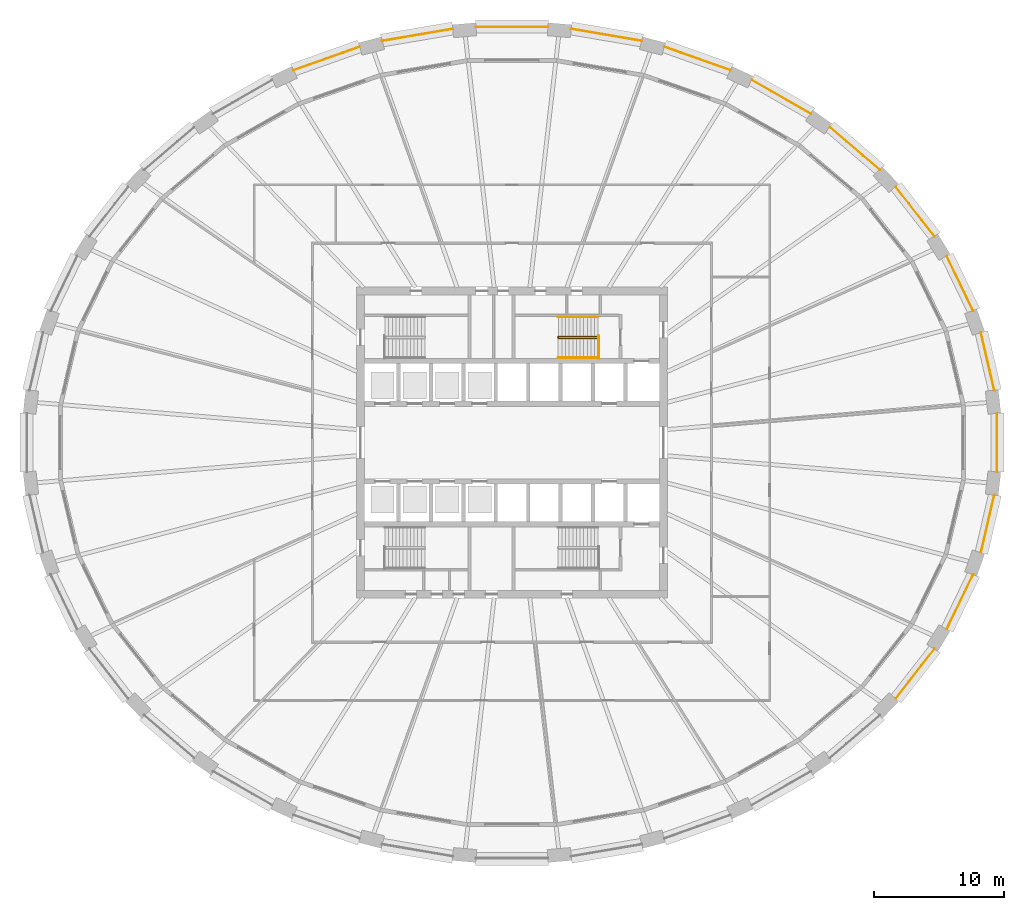
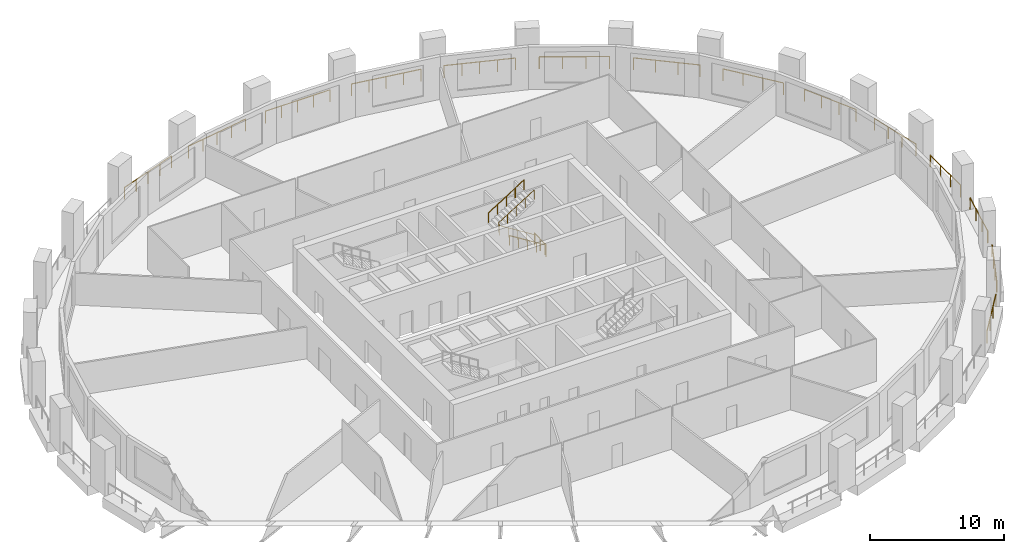
# One storey, part 10 of 11: 18 railings.
"""IFC4 building model written with IfcOpenShell, lengths in metres."""

from ifc_helpers import new_model, si_unit, direction, frame, origin, origin_2d, place, context, subcontext, project, spatial, circle, extrude, material, type_object, element, save


model = new_model("IFC4")

# Units and contexts
model_context = context("Model", 3, precision=1e-05, world=origin(), true_north=direction((0.0, 1.0)))
body_context = subcontext(model_context, "Body", "Model", "MODEL_VIEW")
ifc_project = project(units=[si_unit("LENGTHUNIT", "METRE"), si_unit("AREAUNIT", "SQUARE_METRE"), si_unit("VOLUMEUNIT", "CUBIC_METRE"), si_unit("PLANEANGLEUNIT", "RADIAN"), si_unit("MASSUNIT", "GRAM", prefix="KILO")], contexts=[model_context])

# Site, building, storey
site_placement = place(None, origin())
site = spatial("IfcSite", under=ifc_project, at=site_placement, CompositionType="ELEMENT")
building_placement = place(site_placement, origin())
building = spatial("IfcBuilding", under=site, at=building_placement, Name="Halqa Exchange Tower", CompositionType="ELEMENT")
storey_placement = place(building_placement, frame((0.0, 0.0, 44.5)))
storey = spatial("IfcBuildingStorey", under=building, at=storey_placement, Name="L09", CompositionType="ELEMENT", Elevation=44.5)

# Railings
ifc_material = material(Name="Stainless steel", Category="steel")
railing_type_1 = type_object("IfcRailingType", Name="Guard 1100 stainless steel", PredefinedType="GUARDRAIL", material=ifc_material)
railing_1_placement = place(storey_placement, frame((37.228515625, 4.03662109375, 0.0)))
element("IfcRailing", 1, at=railing_1_placement, inside=storey, type_object=railing_type_1, Name="Loggia guard 1", PredefinedType="GUARDRAIL", context=body_context, shape_type="SweptSolid", body=[
    extrude(circle(Radius=0.02392578125, at=origin_2d()), frame((0.0, 0.0, 1.076171875), z_axis=(-0.226023651238, 0.974121814293, 0.0), x_axis=(-0.974121814293, -0.226023651238, 0.0)), (0.0, 0.0, 1.0), 4.563720703125),
    extrude(circle(Radius=0.02099609375, at=origin_2d()), origin(), (0.0, 0.0, 1.0), 1.052001953125),
    extrude(circle(Radius=0.02099609375, at=origin_2d()), frame((-0.34375, 1.48193359375, 0.0)), (0.0, 0.0, 1.0), 1.052001953125),
    extrude(circle(Radius=0.02099609375, at=origin_2d()), frame((-0.687744140625, 2.963623046875, 0.0)), (0.0, 0.0, 1.0), 1.052001953125),
    extrude(circle(Radius=0.02099609375, at=origin_2d()), frame((-1.031494140625, 4.445556640625, 0.0)), (0.0, 0.0, 1.0), 1.052001953125),
])
railing_2_placement = place(storey_placement, frame((35.601806640625, 10.169189453125, 0.0)))
element("IfcRailing", 2, at=railing_2_placement, inside=storey, type_object=railing_type_1, Name="Loggia guard 2", PredefinedType="GUARDRAIL", context=body_context, shape_type="SweptSolid", body=[
    extrude(circle(Radius=0.02392578125, at=origin_2d()), frame((0.0, 0.0, 1.076171875), z_axis=(-0.435082763591, 0.900390464646, 0.0), x_axis=(-0.900390464646, -0.435082763591, 0.0)), (0.0, 0.0, 1.0), 4.684814453125),
    extrude(circle(Radius=0.02099609375, at=origin_2d()), origin(), (0.0, 0.0, 1.0), 1.052001953125),
    extrude(circle(Radius=0.02099609375, at=origin_2d()), frame((-0.679443359375, 1.406005859375, 0.0)), (0.0, 0.0, 1.0), 1.052001953125),
    extrude(circle(Radius=0.02099609375, at=origin_2d()), frame((-1.35888671875, 2.812255859375, 0.0)), (0.0, 0.0, 1.0), 1.052001953125),
    extrude(circle(Radius=0.02099609375, at=origin_2d()), frame((-2.038330078125, 4.21826171875, 0.0)), (0.0, 0.0, 1.0), 1.052001953125),
])
railing_3_placement = place(storey_placement, frame((32.618408203125, 15.907470703125, 0.0)))
element("IfcRailing", 3, at=railing_3_placement, inside=storey, type_object=railing_type_1, Name="Loggia guard 3", PredefinedType="GUARDRAIL", context=body_context, shape_type="SweptSolid", body=[
    extrude(circle(Radius=0.02392578125, at=origin_2d()), frame((0.0, 0.0, 1.076171875), z_axis=(-0.614788306986, 0.788692169096, 0.0), x_axis=(-0.788692169096, -0.614788306986, 0.0)), (0.0, 0.0, 1.0), 4.863037109375),
    extrude(circle(Radius=0.02099609375, at=origin_2d()), origin(), (0.0, 0.0, 1.0), 1.052001953125),
    extrude(circle(Radius=0.02099609375, at=origin_2d()), frame((-0.99658203125, 1.278564453125, 0.0)), (0.0, 0.0, 1.0), 1.052001953125),
    extrude(circle(Radius=0.02099609375, at=origin_2d()), frame((-1.9931640625, 2.556884765625, 0.0)), (0.0, 0.0, 1.0), 1.052001953125),
    extrude(circle(Radius=0.02099609375, at=origin_2d()), frame((-2.98974609375, 3.83544921875, 0.0)), (0.0, 0.0, 1.0), 1.052001953125),
])
railing_4_placement = place(storey_placement, frame((28.39208984375, 21.038330078125, 0.0)))
element("IfcRailing", 4, at=railing_4_placement, inside=storey, type_object=railing_type_1, Name="Loggia guard 4", PredefinedType="GUARDRAIL", context=body_context, shape_type="SweptSolid", body=[
    extrude(circle(Radius=0.02392578125, at=origin_2d()), frame((0.0, 0.0, 1.076171875), z_axis=(-0.759253201267, 0.650795341383, 0.0), x_axis=(-0.650795341383, -0.759253201267, 0.0)), (0.0, 0.0, 1.0), 5.067138671875),
    extrude(circle(Radius=0.02099609375, at=origin_2d()), origin(), (0.0, 0.0, 1.0), 1.052001953125),
    extrude(circle(Radius=0.02099609375, at=origin_2d()), frame((-1.282470703125, 1.09912109375, 0.0)), (0.0, 0.0, 1.0), 1.052001953125),
    extrude(circle(Radius=0.02099609375, at=origin_2d()), frame((-2.564697265625, 2.198486328125, 0.0)), (0.0, 0.0, 1.0), 1.052001953125),
    extrude(circle(Radius=0.02099609375, at=origin_2d()), frame((-3.84716796875, 3.297607421875, 0.0)), (0.0, 0.0, 1.0), 1.052001953125),
])
railing_5_placement = place(storey_placement, frame((23.08056640625, 25.368896484375, 0.0)))
element("IfcRailing", 5, at=railing_5_placement, inside=storey, type_object=railing_type_1, Name="Loggia guard 5", PredefinedType="GUARDRAIL", context=body_context, shape_type="SweptSolid", body=[
    extrude(circle(Radius=0.02392578125, at=origin_2d()), frame((0.0, 0.0, 1.076171875), z_axis=(-0.867757631472, 0.496987618581, 0.0), x_axis=(-0.496987618581, -0.867757631472, 0.0)), (0.0, 0.0, 1.0), 5.26513671875),
    extrude(circle(Radius=0.02099609375, at=origin_2d()), origin(), (0.0, 0.0, 1.0), 1.052001953125),
    extrude(circle(Radius=0.02099609375, at=origin_2d()), frame((-1.52294921875, 0.872314453125, 0.0)), (0.0, 0.0, 1.0), 1.052001953125),
    extrude(circle(Radius=0.02099609375, at=origin_2d()), frame((-3.0458984375, 1.744384765625, 0.0)), (0.0, 0.0, 1.0), 1.052001953125),
    extrude(circle(Radius=0.02099609375, at=origin_2d()), frame((-4.56884765625, 2.61669921875, 0.0)), (0.0, 0.0, 1.0), 1.052001953125),
])
railing_6_placement = place(storey_placement, frame((16.882568359375, 28.734130859375, 0.0)))
element("IfcRailing", 6, at=railing_6_placement, inside=storey, type_object=railing_type_1, Name="Loggia guard 6", PredefinedType="GUARDRAIL", context=body_context, shape_type="SweptSolid", body=[
    extrude(circle(Radius=0.02392578125, at=origin_2d()), frame((0.0, 0.0, 1.076171875), z_axis=(-0.942380187408, 0.33454384224, 0.0), x_axis=(-0.33454384224, -0.942380187408, 0.0)), (0.0, 0.0, 1.0), 5.4287109375),
    extrude(circle(Radius=0.02099609375, at=origin_2d()), origin(), (0.0, 0.0, 1.0), 1.052001953125),
    extrude(circle(Radius=0.02099609375, at=origin_2d()), frame((-1.279052734375, 0.4541015625, 0.0)), (0.0, 0.0, 1.0), 1.052001953125),
    extrude(circle(Radius=0.02099609375, at=origin_2d()), frame((-2.55810546875, 0.908203125, 0.0)), (0.0, 0.0, 1.0), 1.052001953125),
    extrude(circle(Radius=0.02099609375, at=origin_2d()), frame((-3.8369140625, 1.362060546875, 0.0)), (0.0, 0.0, 1.0), 1.052001953125),
    extrude(circle(Radius=0.02099609375, at=origin_2d()), frame((-5.115966796875, 1.816162109375, 0.0)), (0.0, 0.0, 1.0), 1.052001953125),
])
railing_7_placement = place(storey_placement, frame((10.03125, 31.002685546875, 0.0)))
element("IfcRailing", 7, at=railing_7_placement, inside=storey, type_object=railing_type_1, Name="Loggia guard 7", PredefinedType="GUARDRAIL", context=body_context, shape_type="SweptSolid", body=[
    extrude(circle(Radius=0.02392578125, at=origin_2d()), frame((0.0, 0.0, 1.076171875), z_axis=(-0.985768348427, 0.168109378795, 0.0), x_axis=(-0.168109378795, -0.985768348427, 0.0)), (0.0, 0.0, 1.0), 5.5361328125),
    extrude(circle(Radius=0.02099609375, at=origin_2d()), origin(), (0.0, 0.0, 1.0), 1.052001953125),
    extrude(circle(Radius=0.02099609375, at=origin_2d()), frame((-1.3642578125, 0.232666015625, 0.0)), (0.0, 0.0, 1.0), 1.052001953125),
    extrude(circle(Radius=0.02099609375, at=origin_2d()), frame((-2.728515625, 0.46533203125, 0.0)), (0.0, 0.0, 1.0), 1.052001953125),
    extrude(circle(Radius=0.02099609375, at=origin_2d()), frame((-4.093017578125, 0.697998046875, 0.0)), (0.0, 0.0, 1.0), 1.052001953125),
    extrude(circle(Radius=0.02099609375, at=origin_2d()), frame((-5.457275390625, 0.9306640625, 0.0)), (0.0, 0.0, 1.0), 1.052001953125),
])
railing_8_placement = place(storey_placement, frame((2.78662109375, 32.084716796875, 0.0)))
element("IfcRailing", 8, at=railing_8_placement, inside=storey, type_object=railing_type_1, Name="Loggia guard 8", PredefinedType="GUARDRAIL", context=body_context, shape_type="SweptSolid", body=[
    extrude(circle(Radius=0.02392578125, at=origin_2d()), frame((0.0, 0.0, 1.076171875), z_axis=(-1.0, 0.0, 0.0), x_axis=(0.0, -1.0, 0.0)), (0.0, 0.0, 1.0), 5.5732421875),
    extrude(circle(Radius=0.02099609375, at=origin_2d()), origin(), (0.0, 0.0, 1.0), 1.052001953125),
    extrude(circle(Radius=0.02099609375, at=origin_2d()), frame((-1.393310546875, 0.0, 0.0)), (0.0, 0.0, 1.0), 1.052001953125),
    extrude(circle(Radius=0.02099609375, at=origin_2d()), frame((-2.78662109375, 0.0, 0.0)), (0.0, 0.0, 1.0), 1.052001953125),
    extrude(circle(Radius=0.02099609375, at=origin_2d()), frame((-4.179931640625, 0.0, 0.0)), (0.0, 0.0, 1.0), 1.052001953125),
    extrude(circle(Radius=0.02099609375, at=origin_2d()), frame((-5.5732421875, 0.0, 0.0)), (0.0, 0.0, 1.0), 1.052001953125),
])
railing_9_placement = place(storey_placement, frame((-4.573974609375, 31.933349609375, 0.0)))
element("IfcRailing", 9, at=railing_9_placement, inside=storey, type_object=railing_type_1, Name="Loggia guard 9", PredefinedType="GUARDRAIL", context=body_context, shape_type="SweptSolid", body=[
    extrude(circle(Radius=0.02392578125, at=origin_2d()), frame((0.0, 0.0, 1.076171875), z_axis=(-0.985768348427, -0.168109378795, 0.0), x_axis=(0.168109378795, -0.985768348427, 0.0)), (0.0, 0.0, 1.0), 5.5361328125),
    extrude(circle(Radius=0.02099609375, at=origin_2d()), origin(), (0.0, 0.0, 1.0), 1.052001953125),
    extrude(circle(Radius=0.02099609375, at=origin_2d()), frame((-1.3642578125, -0.232666015625, 0.0)), (0.0, 0.0, 1.0), 1.052001953125),
    extrude(circle(Radius=0.02099609375, at=origin_2d()), frame((-2.728515625, -0.46533203125, 0.0)), (0.0, 0.0, 1.0), 1.052001953125),
    extrude(circle(Radius=0.02099609375, at=origin_2d()), frame((-4.093017578125, -0.697998046875, 0.0)), (0.0, 0.0, 1.0), 1.052001953125),
    extrude(circle(Radius=0.02099609375, at=origin_2d()), frame((-5.457275390625, -0.9306640625, 0.0)), (0.0, 0.0, 1.0), 1.052001953125),
])
railing_10_placement = place(storey_placement, frame((-11.7666015625, 30.55029296875, 0.0)))
element("IfcRailing", 10, at=railing_10_placement, inside=storey, type_object=railing_type_1, Name="Loggia guard 10", PredefinedType="GUARDRAIL", context=body_context, shape_type="SweptSolid", body=[
    extrude(circle(Radius=0.02392578125, at=origin_2d()), frame((0.0, 0.0, 1.076171875), z_axis=(-0.942380187408, -0.33454384224, 0.0), x_axis=(0.33454384224, -0.942380187408, 0.0)), (0.0, 0.0, 1.0), 5.4287109375),
    extrude(circle(Radius=0.02099609375, at=origin_2d()), origin(), (0.0, 0.0, 1.0), 1.052001953125),
    extrude(circle(Radius=0.02099609375, at=origin_2d()), frame((-1.279052734375, -0.4541015625, 0.0)), (0.0, 0.0, 1.0), 1.052001953125),
    extrude(circle(Radius=0.02099609375, at=origin_2d()), frame((-2.55810546875, -0.908203125, 0.0)), (0.0, 0.0, 1.0), 1.052001953125),
    extrude(circle(Radius=0.02099609375, at=origin_2d()), frame((-3.8369140625, -1.362060546875, 0.0)), (0.0, 0.0, 1.0), 1.052001953125),
    extrude(circle(Radius=0.02099609375, at=origin_2d()), frame((-5.115966796875, -1.816162109375, 0.0)), (0.0, 0.0, 1.0), 1.052001953125),
])
railing_11_placement = place(storey_placement, frame((29.628662109375, -19.742919921875, 0.0)))
element("IfcRailing", 11, at=railing_11_placement, inside=storey, type_object=railing_type_1, Name="Loggia guard 29", PredefinedType="GUARDRAIL", context=body_context, shape_type="SweptSolid", body=[
    extrude(circle(Radius=0.02392578125, at=origin_2d()), frame((0.0, 0.0, 1.076171875), z_axis=(0.614788306986, 0.788692169096, 0.0), x_axis=(-0.788692169096, 0.614788306986, 0.0)), (0.0, 0.0, 1.0), 4.863037109375),
    extrude(circle(Radius=0.02099609375, at=origin_2d()), origin(), (0.0, 0.0, 1.0), 1.052001953125),
    extrude(circle(Radius=0.02099609375, at=origin_2d()), frame((0.99658203125, 1.278564453125, 0.0)), (0.0, 0.0, 1.0), 1.052001953125),
    extrude(circle(Radius=0.02099609375, at=origin_2d()), frame((1.9931640625, 2.556884765625, 0.0)), (0.0, 0.0, 1.0), 1.052001953125),
    extrude(circle(Radius=0.02099609375, at=origin_2d()), frame((2.98974609375, 3.83544921875, 0.0)), (0.0, 0.0, 1.0), 1.052001953125),
])
railing_12_placement = place(storey_placement, frame((33.5634765625, -14.387451171875, 0.0)))
element("IfcRailing", 12, at=railing_12_placement, inside=storey, type_object=railing_type_1, Name="Loggia guard 30", PredefinedType="GUARDRAIL", context=body_context, shape_type="SweptSolid", body=[
    extrude(circle(Radius=0.02392578125, at=origin_2d()), frame((0.0, 0.0, 1.076171875), z_axis=(0.435082763591, 0.900390464646, 0.0), x_axis=(-0.900390464646, 0.435082763591, 0.0)), (0.0, 0.0, 1.0), 4.684814453125),
    extrude(circle(Radius=0.02099609375, at=origin_2d()), origin(), (0.0, 0.0, 1.0), 1.052001953125),
    extrude(circle(Radius=0.02099609375, at=origin_2d()), frame((0.679443359375, 1.406005859375, 0.0)), (0.0, 0.0, 1.0), 1.052001953125),
    extrude(circle(Radius=0.02099609375, at=origin_2d()), frame((1.35888671875, 2.812255859375, 0.0)), (0.0, 0.0, 1.0), 1.052001953125),
    extrude(circle(Radius=0.02099609375, at=origin_2d()), frame((2.038330078125, 4.21826171875, 0.0)), (0.0, 0.0, 1.0), 1.052001953125),
])
railing_13_placement = place(storey_placement, frame((36.197021484375, -8.482177734375, 0.0)))
element("IfcRailing", 13, at=railing_13_placement, inside=storey, type_object=railing_type_1, Name="Loggia guard 31", PredefinedType="GUARDRAIL", context=body_context, shape_type="SweptSolid", body=[
    extrude(circle(Radius=0.02392578125, at=origin_2d()), frame((0.0, 0.0, 1.076171875), z_axis=(0.226023651238, 0.974121814293, 0.0), x_axis=(-0.974121814293, 0.226023651238, 0.0)), (0.0, 0.0, 1.0), 4.563720703125),
    extrude(circle(Radius=0.02099609375, at=origin_2d()), origin(), (0.0, 0.0, 1.0), 1.052001953125),
    extrude(circle(Radius=0.02099609375, at=origin_2d()), frame((0.34375, 1.48193359375, 0.0)), (0.0, 0.0, 1.0), 1.052001953125),
    extrude(circle(Radius=0.02099609375, at=origin_2d()), frame((0.687744140625, 2.963623046875, 0.0)), (0.0, 0.0, 1.0), 1.052001953125),
    extrude(circle(Radius=0.02099609375, at=origin_2d()), frame((1.031494140625, 4.445556640625, 0.0)), (0.0, 0.0, 1.0), 1.052001953125),
])
railing_14_placement = place(storey_placement, frame((37.431884765625, -2.260009765625, 0.0)))
element("IfcRailing", 14, at=railing_14_placement, inside=storey, type_object=railing_type_1, Name="Loggia guard 32", PredefinedType="GUARDRAIL", context=body_context, shape_type="SweptSolid", body=[
    extrude(circle(Radius=0.02392578125, at=origin_2d()), frame((0.0, 0.0, 1.076171875), z_axis=(0.0, 1.0, 0.0), x_axis=(-1.0, 0.0, 0.0)), (0.0, 0.0, 1.0), 4.52001953125),
    extrude(circle(Radius=0.02099609375, at=origin_2d()), origin(), (0.0, 0.0, 1.0), 1.052001953125),
    extrude(circle(Radius=0.02099609375, at=origin_2d()), frame((0.0, 1.506591796875, 0.0)), (0.0, 0.0, 1.0), 1.052001953125),
    extrude(circle(Radius=0.02099609375, at=origin_2d()), frame((0.0, 3.013427734375, 0.0)), (0.0, 0.0, 1.0), 1.052001953125),
    extrude(circle(Radius=0.02099609375, at=origin_2d()), frame((0.0, 4.52001953125, 0.0)), (0.0, 0.0, 1.0), 1.052001953125),
])
railing_type_2 = type_object("IfcRailingType", Name="Stair handrail 900", PredefinedType="HANDRAIL", material=ifc_material)
railing_15_placement = place(storey_placement, frame((6.64990234375, 8.06005859375, 0.175048828125)))
element("IfcRailing", 15, at=railing_15_placement, inside=storey, type_object=railing_type_2, Name="Handrail ST2.1", PredefinedType="HANDRAIL", context=body_context, shape_type="SweptSolid", body=[
    extrude(circle(Radius=0.02392578125, at=origin_2d()), frame((0.0, 0.0, 0.8759765625), z_axis=(-0.847979421464, 0.0, 0.530029150871), x_axis=(0.0, -1.0, 0.0)), (0.0, 0.0, 1.0), 3.632080078125),
    extrude(circle(Radius=0.02392578125, at=origin_2d()), frame((-3.079833984375, 0.0, 2.80078125), z_axis=(0.0, 0.596406559517, 0.802682512433), x_axis=(-1.0, 0.0, 0.0)), (0.0, 0.0, 1.0), 0.2177734375),
    extrude(circle(Radius=0.02392578125, at=origin_2d()), frame((-3.079833984375, 0.1298828125, 2.9755859375), z_axis=(0.847979421464, 0.0, 0.530029150871), x_axis=(0.0, 1.0, 0.0)), (0.0, 0.0, 1.0), 3.632080078125),
    extrude(circle(Radius=0.02099609375, at=origin_2d()), origin(), (0.0, 0.0, 1.0), 0.851806640625),
    extrude(circle(Radius=0.02099609375, at=origin_2d()), frame((-0.77001953125, 0.0, 0.481201171875)), (0.0, 0.0, 1.0), 0.851806640625),
    extrude(circle(Radius=0.02099609375, at=origin_2d()), frame((-1.5400390625, 0.0, 0.96240234375)), (0.0, 0.0, 1.0), 0.851806640625),
    extrude(circle(Radius=0.02099609375, at=origin_2d()), frame((-2.309814453125, 0.0, 1.44384765625)), (0.0, 0.0, 1.0), 0.851806640625),
    extrude(circle(Radius=0.02099609375, at=origin_2d()), frame((-3.079833984375, 0.0, 1.925048828125)), (0.0, 0.0, 1.0), 0.851806640625),
    extrude(circle(Radius=0.02099609375, at=origin_2d()), frame((-3.079833984375, 0.1298828125, 2.099853515625)), (0.0, 0.0, 1.0), 0.851806640625),
    extrude(circle(Radius=0.02099609375, at=origin_2d()), frame((-2.309814453125, 0.1298828125, 2.5810546875)), (0.0, 0.0, 1.0), 0.851806640625),
    extrude(circle(Radius=0.02099609375, at=origin_2d()), frame((-1.5400390625, 0.1298828125, 3.0625)), (0.0, 0.0, 1.0), 0.851806640625),
    extrude(circle(Radius=0.02099609375, at=origin_2d()), frame((-0.77001953125, 0.1298828125, 3.543701171875)), (0.0, 0.0, 1.0), 0.851806640625),
    extrude(circle(Radius=0.02099609375, at=origin_2d()), frame((0.0, 0.1298828125, 4.02490234375)), (0.0, 0.0, 1.0), 0.851806640625),
])
railing_16_placement = place(storey_placement, frame((6.64990234375, 6.550048828125, 0.175048828125)))
element("IfcRailing", 16, at=railing_16_placement, inside=storey, type_object=railing_type_2, Name="Handrail ST2.2", PredefinedType="HANDRAIL", context=body_context, shape_type="SweptSolid", body=[
    extrude(circle(Radius=0.02392578125, at=origin_2d()), frame((0.0, 0.0, 0.8759765625), z_axis=(-0.847979421464, 0.0, 0.530029150871), x_axis=(0.0, -1.0, 0.0)), (0.0, 0.0, 1.0), 3.632080078125),
    extrude(circle(Radius=0.02099609375, at=origin_2d()), origin(), (0.0, 0.0, 1.0), 0.851806640625),
    extrude(circle(Radius=0.02099609375, at=origin_2d()), frame((-0.77001953125, 0.0, 0.481201171875)), (0.0, 0.0, 1.0), 0.851806640625),
    extrude(circle(Radius=0.02099609375, at=origin_2d()), frame((-1.5400390625, 0.0, 0.96240234375)), (0.0, 0.0, 1.0), 0.851806640625),
    extrude(circle(Radius=0.02099609375, at=origin_2d()), frame((-2.309814453125, 0.0, 1.44384765625)), (0.0, 0.0, 1.0), 0.851806640625),
    extrude(circle(Radius=0.02099609375, at=origin_2d()), frame((-3.079833984375, 0.0, 1.925048828125)), (0.0, 0.0, 1.0), 0.851806640625),
])
railing_17_placement = place(storey_placement, frame((3.570068359375, 9.699951171875, 2.27490234375)))
element("IfcRailing", 17, at=railing_17_placement, inside=storey, type_object=railing_type_2, Name="Handrail ST2.3", PredefinedType="HANDRAIL", context=body_context, shape_type="SweptSolid", body=[
    extrude(circle(Radius=0.02392578125, at=origin_2d()), frame((0.0, 0.0, 0.8759765625), z_axis=(0.847979421464, 0.0, 0.530029150871), x_axis=(0.0, 1.0, 0.0)), (0.0, 0.0, 1.0), 3.632080078125),
    extrude(circle(Radius=0.02099609375, at=origin_2d()), origin(), (0.0, 0.0, 1.0), 0.851806640625),
    extrude(circle(Radius=0.02099609375, at=origin_2d()), frame((0.77001953125, 0.0, 0.481201171875)), (0.0, 0.0, 1.0), 0.851806640625),
    extrude(circle(Radius=0.02099609375, at=origin_2d()), frame((1.5400390625, 0.0, 0.96240234375)), (0.0, 0.0, 1.0), 0.851806640625),
    extrude(circle(Radius=0.02099609375, at=origin_2d()), frame((2.309814453125, 0.0, 1.44384765625)), (0.0, 0.0, 1.0), 0.851806640625),
    extrude(circle(Radius=0.02099609375, at=origin_2d()), frame((3.079833984375, 0.0, 1.925048828125)), (0.0, 0.0, 1.0), 0.851806640625),
])
railing_type_3 = type_object("IfcRailingType", Name="Stair well guard 1100", PredefinedType="GUARDRAIL", material=ifc_material)
railing_18_placement = place(storey_placement, frame((6.699951171875, 6.5, 0.0)))
element("IfcRailing", 18, at=railing_18_placement, inside=storey, type_object=railing_type_3, Name="Guard ST2 well", PredefinedType="GUARDRAIL", context=body_context, shape_type="SweptSolid", body=[
    extrude(circle(Radius=0.02392578125, at=origin_2d()), frame((0.0, 0.0, 1.076171875), z_axis=(0.0, 1.0, 0.0), x_axis=(-1.0, 0.0, 0.0)), (0.0, 0.0, 1.0), 1.75),
    extrude(circle(Radius=0.02099609375, at=origin_2d()), origin(), (0.0, 0.0, 1.0), 1.052001953125),
    extrude(circle(Radius=0.02099609375, at=origin_2d()), frame((0.0, 0.875, 0.0)), (0.0, 0.0, 1.0), 1.052001953125),
    extrude(circle(Radius=0.02099609375, at=origin_2d()), frame((0.0, 1.75, 0.0)), (0.0, 0.0, 1.0), 1.052001953125),
])

save(model, "model.ifc")
